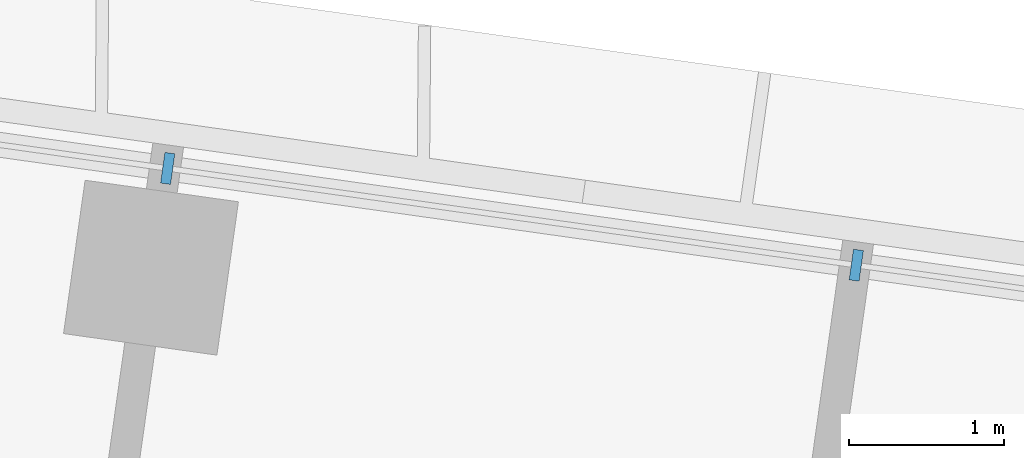
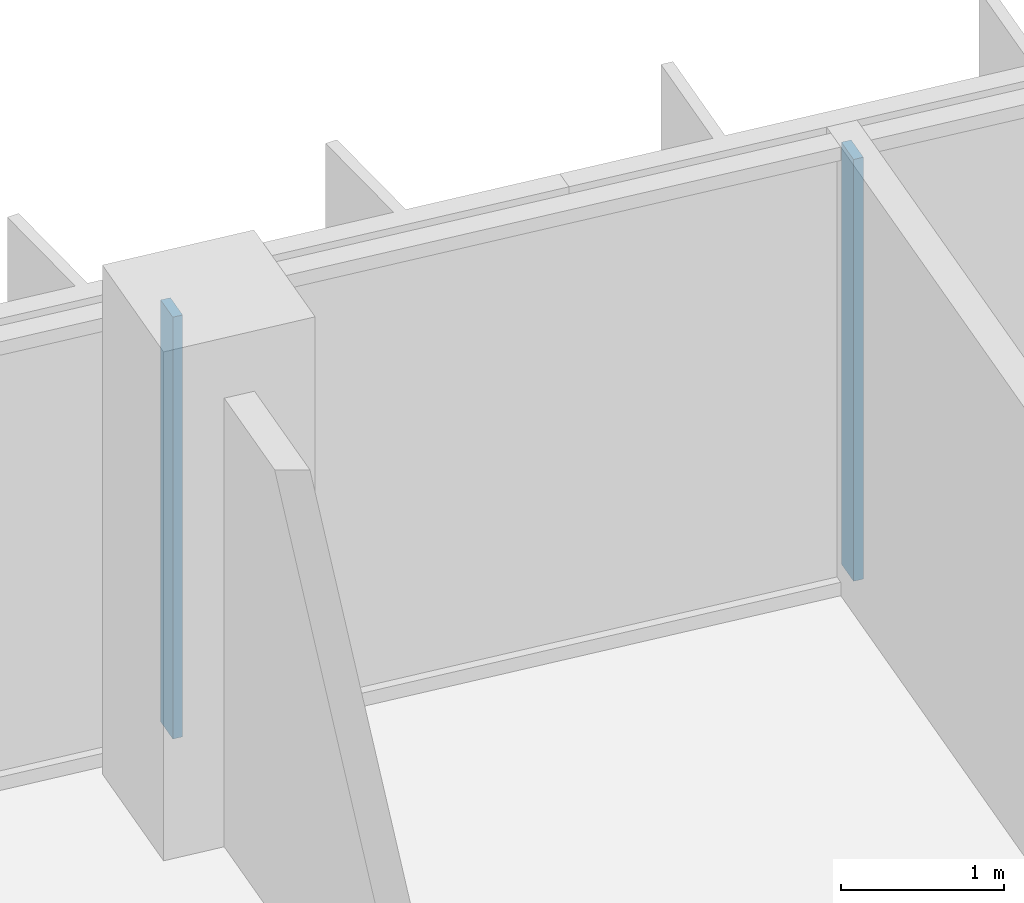
# One storey, part 3 of 25: 2 members, 1 element without a shape of its own.
"""IFC4 building model written with IfcOpenShell, lengths in metres."""

from ifc_helpers import new_model, si_unit, direction, frame, origin, origin_2d, place, context, subcontext, project, spatial, rectangle, extrude, material, material_profile, profile_set, type_object, element, aggregate, save


model = new_model("IFC4")

# Units and contexts
model_context = context("Model", 3, precision=1e-05, world=origin(), true_north=direction((0.0, 1.0)))
body_context = subcontext(model_context, "Body", "Model", "MODEL_VIEW")
ifc_project = project(units=[si_unit("LENGTHUNIT", "METRE"), si_unit("AREAUNIT", "SQUARE_METRE"), si_unit("VOLUMEUNIT", "CUBIC_METRE"), si_unit("PLANEANGLEUNIT", "RADIAN"), si_unit("MASSUNIT", "GRAM", prefix="KILO")], contexts=[model_context])

# Site, building, storey
site_placement = place(None, origin())
site = spatial("IfcSite", under=ifc_project, at=site_placement, CompositionType="ELEMENT")
building_placement = place(site_placement, origin())
building = spatial("IfcBuilding", under=site, at=building_placement, Name="Mirante Cascada Hotel Towers", CompositionType="ELEMENT")
storey_placement = place(building_placement, frame((0.0, 0.0, 62.3)))
storey = spatial("IfcBuildingStorey", under=building, at=storey_placement, Name="L12", CompositionType="ELEMENT", Elevation=62.3)

# Curtain wall, members
ifc_material_1 = material(Name="Aluminium mullion and transom frame with clear laminated glass", Category="aluminium")
curtain_wall_type = type_object("IfcCurtainWallType", Name="Ribbon curtain wall ECW1", PredefinedType="NOTDEFINED", material=ifc_material_1)
curtain_wall_placement = place(storey_placement, origin())
curtain_wall = element("IfcCurtainWall", 1, at=curtain_wall_placement, inside=storey, type_object=curtain_wall_type, Name="Front ribbon wall T1 L12", PredefinedType="NOTDEFINED")
ifc_material_2 = material(Name="Anodised aluminium extrusion", Category="aluminium")
ifc_material_profile = material_profile(ifc_material_2, rectangle(XDim=0.2, YDim=0.065, at=origin_2d()), Name="ECW1 MULLION 65x200")
ifc_profile_set = profile_set([ifc_material_profile], Name="Anodised aluminium extrusion")
member_type = type_object("IfcMemberType", Name="ECW1 mullion 65x200", PredefinedType="MULLION", material=ifc_profile_set)
member_1_placement = place(storey_placement, frame((-71.9211, 22.9269, 0.1), z_axis=(0.0, 0.0, 1.0), x_axis=(0.1391731, 0.9902681, 0.0)))
member_1 = element("IfcMember", 2, at=member_1_placement, type_object=member_type, Name="ECW1 mullion 6", PredefinedType="MULLION", context=body_context, shape_type="SweptSolid", body=[
    extrude(rectangle(XDim=0.2, YDim=0.065, at=origin_2d()), origin(), (0.0, 0.0, 1.0), 3.15),
])
member_2_placement = place(storey_placement, frame((-67.4737, 22.3018, 0.1), z_axis=(0.0, 0.0, 1.0), x_axis=(0.1391731, 0.9902681, 0.0)))
member_2 = element("IfcMember", 3, at=member_2_placement, type_object=member_type, Name="ECW1 mullion 7", PredefinedType="MULLION", context=body_context, shape_type="SweptSolid", body=[
    extrude(rectangle(XDim=0.2, YDim=0.065, at=origin_2d()), origin(), (0.0, 0.0, 1.0), 3.15),
])
aggregate(curtain_wall, [member_1, member_2])

save(model, "model.ifc")
